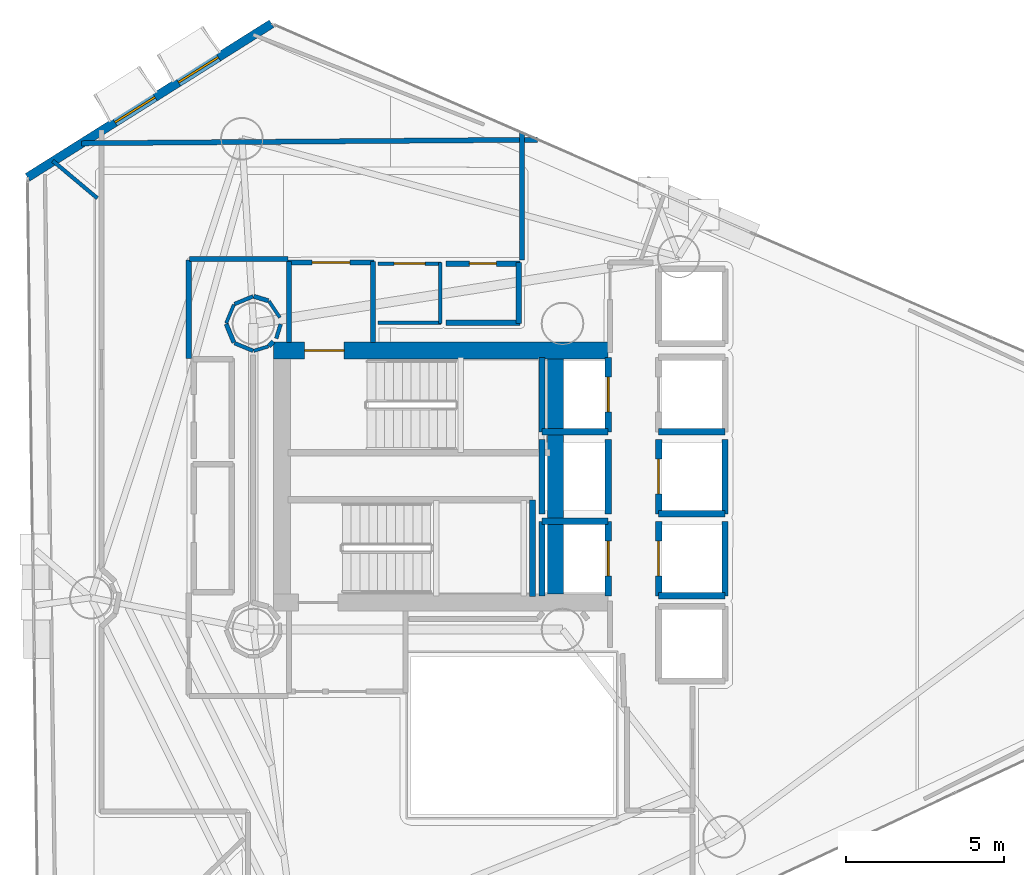
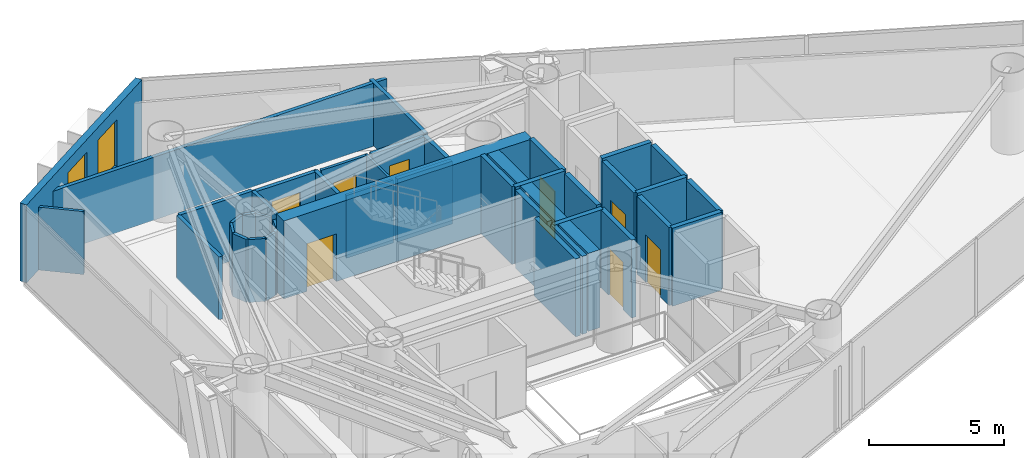
# One storey, part 17 of 20: 42 walls, 8 doors, 2 windows, 10 openings.
"""IFC4 building model written with IfcOpenShell, lengths in metres."""

from ifc_helpers import new_model, si_unit, direction, frame, frame_2d, origin, place, context, subcontext, project, spatial, rectangle, extrude, material, layer, layer_set, type_object, element, fill, save


model = new_model("IFC4")

# Units and contexts
model_context = context("Model", 3, precision=1e-05, world=origin(), true_north=direction((0.0, 1.0)))
body_context = subcontext(model_context, "Body", "Model", "MODEL_VIEW")
ifc_project = project(units=[si_unit("LENGTHUNIT", "METRE"), si_unit("AREAUNIT", "SQUARE_METRE"), si_unit("VOLUMEUNIT", "CUBIC_METRE"), si_unit("PLANEANGLEUNIT", "RADIAN"), si_unit("MASSUNIT", "GRAM", prefix="KILO")], contexts=[model_context])

# Site, building, storey
site_placement = place(None, origin())
site = spatial("IfcSite", under=ifc_project, at=site_placement, CompositionType="ELEMENT")
building_placement = place(site_placement, origin())
building = spatial("IfcBuilding", under=site, at=building_placement, Name="Qianvela Tower", CompositionType="ELEMENT")
storey_placement = place(building_placement, frame((0.0, 0.0, 151.300048828125)))
storey = spatial("IfcBuildingStorey", under=building, at=storey_placement, Name="L38", CompositionType="ELEMENT", Elevation=151.300048828125)

# Wall, openings, windows
ifc_material_1 = material(Name="Terracotta Cladding on Concrete C40", Category="masonry")
ifc_layer_1 = layer(ifc_material_1, 0.280029296875)
ifc_layer_set_1 = layer_set([ifc_layer_1], Name="Terracotta Cladding on Concrete C40")
wall_type_1 = type_object("IfcWallType", Name="TERRACOTTA-WALL-280", PredefinedType="SOLIDWALL", material=ifc_layer_set_1)
wall_1_placement = place(storey_placement, frame((29.17578125, 43.057373046875, 0.0), z_axis=(0.0, 0.0, 1.0), x_axis=(-0.84632871266, -0.532660971095, 0.0)))
wall_1 = element("IfcWall", 1, at=wall_1_placement, inside=storey, type_object=wall_type_1, Name="L38 Terracotta Chamfer Facet Wall 3", PredefinedType="SOLIDWALL", context=body_context, shape_type="SweptSolid", body=[
    extrude(rectangle(XDim=9.1416015625, YDim=0.280029296875, at=frame_2d((4.57080078125, 0.0))), origin(), (0.0, 0.0, 1.0), 3.52001953125),
])
opening_1_placement = place(wall_1_placement, frame((1.992431640625, 0.0, 0.85009765625)))
opening_1 = element("IfcOpeningElement", 2, at=opening_1_placement, cuts=wall_1, Name="Opening W-02", PredefinedType="OPENING", context=body_context, shape_type="SweptSolid", body=[
    extrude(rectangle(XDim=1.5, YDim=2.10009765625, at=frame_2d((0.75, 1.050048828125))), frame((0.0, 0.14990234375, 0.0), z_axis=(0.0, -1.0, 0.0), x_axis=(1.0, 0.0, 0.0)), (0.0, 0.0, 1.0), 0.300048828125),
])
opening_2_placement = place(wall_1_placement, frame((4.369140625, 0.0, 0.85009765625)))
opening_2 = element("IfcOpeningElement", 3, at=opening_2_placement, cuts=wall_1, Name="Opening W-02", PredefinedType="OPENING", context=body_context, shape_type="SweptSolid", body=[
    extrude(rectangle(XDim=1.5, YDim=2.10009765625, at=frame_2d((0.75, 1.050048828125))), frame((0.0, 0.14990234375, 0.0), z_axis=(0.0, -1.0, 0.0), x_axis=(1.0, 0.0, 0.0)), (0.0, 0.0, 1.0), 0.300048828125),
])
ifc_material_2 = material(Name="Thermally Broken Aluminium and Low-E Glass", Category="aluminium")
window_type = type_object("IfcWindowType", Name="WIN-TC-1500x2100", PartitioningType="DOUBLE_PANEL_VERTICAL", PredefinedType="WINDOW", material=ifc_material_2)
window_1_placement = place(opening_1_placement, origin())
window_1 = element("IfcWindow", 4, at=window_1_placement, inside=storey, type_object=window_type, Name="L38 Chamfer Facet Window 3.1", OverallHeight=2.10009765625, OverallWidth=1.5, PartitioningType="SINGLE_PANEL", PredefinedType="WINDOW", context=body_context, shape_type="SweptSolid", body=[
    extrude(rectangle(XDim=1.5, YDim=2.10009765625, at=frame_2d((0.75, 1.050048828125))), frame((0.0, 0.030029296875, 0.0), z_axis=(0.0, -1.0, 0.0), x_axis=(1.0, 0.0, 0.0)), (0.0, 0.0, 1.0), 0.06005859375),
])
fill(opening_1, window_1)
window_2_placement = place(opening_2_placement, origin())
window_2 = element("IfcWindow", 5, at=window_2_placement, inside=storey, type_object=window_type, Name="L38 Chamfer Facet Window 3.2", OverallHeight=2.10009765625, OverallWidth=1.5, PartitioningType="SINGLE_PANEL", PredefinedType="WINDOW", context=body_context, shape_type="SweptSolid", body=[
    extrude(rectangle(XDim=1.5, YDim=2.10009765625, at=frame_2d((0.75, 1.050048828125))), frame((0.0, 0.030029296875, 0.0), z_axis=(0.0, -1.0, 0.0), x_axis=(1.0, 0.0, 0.0)), (0.0, 0.0, 1.0), 0.06005859375),
])
fill(opening_2, window_2)

# Wall, opening, door
ifc_material_3 = material(Name="Concrete C60", Category="concrete")
ifc_layer_2 = layer(ifc_material_3, 0.550048828125)
ifc_layer_set_2 = layer_set([ifc_layer_2], Name="Concrete C60")
wall_type_2 = type_object("IfcWallType", Name="WT-CORE-550", PredefinedType="SHEAR", material=ifc_layer_set_2)
wall_2_placement = place(storey_placement, frame((29.22998046875, 32.695068359375, 0.0), z_axis=(0.0, 0.0, 1.0), x_axis=(1.0, 0.0, 0.0)))
wall_2 = element("IfcWall", 6, at=wall_2_placement, inside=storey, type_object=wall_type_2, Name="L38 North Core Shear Wall", PredefinedType="SHEAR", context=body_context, shape_type="SweptSolid", body=[
    extrude(rectangle(XDim=10.6201171875, YDim=0.550048828125, at=frame_2d((5.31005859375, 0.0))), origin(), (0.0, 0.0, 1.0), 3.52001953125),
])
opening_3_placement = place(wall_2_placement, frame((0.9951171875, 0.0, 0.0)))
opening_3 = element("IfcOpeningElement", 7, at=opening_3_placement, cuts=wall_2, Name="Opening D-ST1", PredefinedType="OPENING", context=body_context, shape_type="SweptSolid", body=[
    extrude(rectangle(XDim=1.25, YDim=2.14990234375, at=frame_2d((0.625, 1.074951171875))), frame((0.0, 0.284912109375, 0.0), z_axis=(0.0, -1.0, 0.0), x_axis=(1.0, 0.0, 0.0)), (0.0, 0.0, 1.0), 0.570068359375),
])
ifc_material_4 = material(Name="Galvanised Fire Steel Q355B", Category="steel")
door_type_1 = type_object("IfcDoorType", Name="DT-STAIR-FD90", OperationType="NOTDEFINED", PredefinedType="DOOR", material=ifc_material_4)
door_1_placement = place(opening_3_placement, origin())
door_1 = element("IfcDoor", 8, at=door_1_placement, inside=storey, type_object=door_type_1, Name="L38 Stair ST-1 Exit Door", OperationType="SINGLE_SWING_RIGHT", OverallHeight=2.14990234375, OverallWidth=1.25, PredefinedType="DOOR", context=body_context, shape_type="SweptSolid", body=[
    extrude(rectangle(XDim=1.25, YDim=2.14990234375, at=frame_2d((0.625, 1.074951171875))), frame((0.0, 0.02490234375, 0.0), z_axis=(0.0, -1.0, 0.0), x_axis=(1.0, 0.0, 0.0)), (0.0, 0.0, 1.0), 0.050048828125),
])
fill(opening_3, door_1)

# Walls
wall_3_placement = place(storey_placement, frame((38.179931640625, 24.97998046875, 0.0), z_axis=(0.0, 0.0, 1.0), x_axis=(0.0, 1.0, 0.0)))
element("IfcWall", 9, at=wall_3_placement, inside=storey, type_object=wall_type_2, Name="L38 East Spine Core Shear Wall", PredefinedType="SHEAR", context=body_context, shape_type="SweptSolid", body=[
    extrude(rectangle(XDim=7.43994140625, YDim=0.5, at=frame_2d((3.719970703125, 0.0))), origin(), (0.0, 0.0, 1.0), 3.52001953125),
])
ifc_material_5 = material(Name="Fire-Rated Gypsum and Concrete Block", Category="concrete")
ifc_layer_3 = layer(ifc_material_5, 0.159912109375)
ifc_layer_set_3 = layer_set([ifc_layer_3], Name="Fire-Rated Gypsum and Concrete Block")
wall_type_3 = type_object("IfcWallType", Name="WT-CORR-160", PredefinedType="PARTITIONING", material=ifc_layer_set_3)
wall_4_placement = place(storey_placement, frame((29.73095703125, 32.9580078125, 0.0), z_axis=(0.0, 0.0, 1.0), x_axis=(0.0, 1.0, 0.0)))
element("IfcWall", 10, at=wall_4_placement, inside=storey, type_object=wall_type_3, Name="L38 Partition 2", PredefinedType="PARTITIONING", context=body_context, shape_type="SweptSolid", body=[
    extrude(rectangle(XDim=2.56201171875, YDim=0.159912109375, at=frame_2d((1.281005859375, 0.0))), origin(), (0.0, 0.0, 1.0), 2.83984375),
])

# Wall, opening, door
wall_5_placement = place(storey_placement, frame((29.699951171875, 35.489013671875, 0.0), z_axis=(0.0, 0.0, 1.0), x_axis=(1.0, 0.0, 0.0)))
wall_5 = element("IfcWall", 11, at=wall_5_placement, inside=storey, type_object=wall_type_3, Name="L38 Partition 3", PredefinedType="PARTITIONING", context=body_context, shape_type="SweptSolid", body=[
    extrude(rectangle(XDim=2.719970703125, YDim=0.159912109375, at=frame_2d((1.35986328125, 0.0))), origin(), (0.0, 0.0, 1.0), 2.83984375),
])
opening_4_placement = place(wall_5_placement, frame((0.760009765625, 0.0, 0.0)))
opening_4 = element("IfcOpeningElement", 12, at=opening_4_placement, cuts=wall_5, Name="Opening D-LB1", PredefinedType="OPENING", context=body_context, shape_type="SweptSolid", body=[
    extrude(rectangle(XDim=1.199951171875, YDim=2.14990234375, at=frame_2d((0.60009765625, 1.074951171875))), frame((0.0, 0.08984375, 0.0), z_axis=(0.0, -1.0, 0.0), x_axis=(1.0, 0.0, 0.0)), (0.0, 0.0, 1.0), 0.179931640625),
])
ifc_material_6 = material(Name="Glazed Fire-Rated Steel Frame", Category="steel")
door_type_2 = type_object("IfcDoorType", Name="DT-LOBBY-FD90", OperationType="NOTDEFINED", PredefinedType="DOOR", material=ifc_material_6)
door_2_placement = place(opening_4_placement, origin())
door_2 = element("IfcDoor", 13, at=door_2_placement, inside=storey, type_object=door_type_2, Name="L38 Door L38 Firefighting Lobby North to L38 Floor Corridor", OperationType="SINGLE_SWING_RIGHT", OverallHeight=2.14990234375, OverallWidth=1.199951171875, PredefinedType="DOOR", context=body_context, shape_type="SweptSolid", body=[
    extrude(rectangle(XDim=1.199951171875, YDim=2.14990234375, at=frame_2d((0.60009765625, 1.074951171875))), frame((0.0, 0.02490234375, 0.0), z_axis=(0.0, -1.0, 0.0), x_axis=(1.0, 0.0, 0.0)), (0.0, 0.0, 1.0), 0.050048828125),
])
fill(opening_4, door_2)

# Walls
wall_6_placement = place(storey_placement, frame((32.388916015625, 35.52001953125, 0.0), z_axis=(0.0, 0.0, 1.0), x_axis=(0.0, -1.0, 0.0)))
element("IfcWall", 14, at=wall_6_placement, inside=storey, type_object=wall_type_3, Name="L38 Partition 4", PredefinedType="PARTITIONING", context=body_context, shape_type="SweptSolid", body=[
    extrude(rectangle(XDim=2.56201171875, YDim=0.159912109375, at=frame_2d((1.281005859375, 0.0))), origin(), (0.0, 0.0, 1.0), 2.83984375),
])
wall_7_placement = place(storey_placement, frame((23.1533203125, 39.266845703125, 0.0), z_axis=(0.0, 0.0, 1.0), x_axis=(0.999969574434, 0.007800654184, 0.0)))
element("IfcWall", 15, at=wall_7_placement, inside=storey, type_object=wall_type_3, Name="L38 Partition 54", PredefinedType="PARTITIONING", context=body_context, shape_type="SweptSolid", body=[
    extrude(rectangle(XDim=14.45947265625, YDim=0.159912109375, at=frame_2d((7.229736328125, 0.0))), origin(), (0.0, 0.0, 1.0), 2.83984375),
])
wall_8_placement = place(storey_placement, frame((37.118896484375, 39.61474609375, 0.0), z_axis=(0.0, 0.0, 1.0), x_axis=(0.0, -1.0, 0.0)))
element("IfcWall", 16, at=wall_8_placement, inside=storey, type_object=wall_type_3, Name="L38 Partition 55 seg 1", PredefinedType="PARTITIONING", context=body_context, shape_type="SweptSolid", body=[
    extrude(rectangle(XDim=4.0546875, YDim=0.159912109375, at=frame_2d((2.02734375, 0.0))), origin(), (0.0, 0.0, 1.0), 2.83984375),
])
wall_9_placement = place(storey_placement, frame((29.699951171875, 35.591064453125, 0.0), z_axis=(0.0, 0.0, 1.0), x_axis=(-1.0, 0.0, 0.0)))
element("IfcWall", 17, at=wall_9_placement, inside=storey, type_object=wall_type_3, Name="L38 Partition 56 seg 4", PredefinedType="PARTITIONING", context=body_context, shape_type="SweptSolid", body=[
    extrude(rectangle(XDim=3.119873046875, YDim=0.159912109375, at=frame_2d((1.56005859375, 0.0))), origin(), (0.0, 0.0, 1.0), 2.83984375),
])
wall_10_placement = place(storey_placement, frame((26.549072265625, 35.56005859375, 0.0), z_axis=(0.0, 0.0, 1.0), x_axis=(0.0, -1.0, 0.0)))
element("IfcWall", 18, at=wall_10_placement, inside=storey, type_object=wall_type_3, Name="L38 Partition 57 seg 1", PredefinedType="PARTITIONING", context=body_context, shape_type="SweptSolid", body=[
    extrude(rectangle(XDim=3.110107421875, YDim=0.159912109375, at=frame_2d((1.55517578125, 0.0))), origin(), (0.0, 0.0, 1.0), 2.83984375),
])
ifc_material_7 = material(Name="Lightweight Gypsum Room Partition")
ifc_layer_4 = layer(ifc_material_7, 0.10498046875)
ifc_layer_set_4 = layer_set([ifc_layer_4], Name="Lightweight Gypsum Room Partition")
wall_type_4 = type_object("IfcWallType", Name="WT-PART-105", PredefinedType="PARTITIONING", material=ifc_layer_set_4)
wall_11_placement = place(storey_placement, frame((34.550048828125, 33.5810546875, 0.0), z_axis=(0.0, 0.0, 1.0), x_axis=(-1.0, 0.0, 0.0)))
element("IfcWall", 19, at=wall_11_placement, inside=storey, type_object=wall_type_4, Name="L38 Partition 20", PredefinedType="PARTITIONING", context=body_context, shape_type="SweptSolid", body=[
    extrude(rectangle(XDim=2.0, YDim=0.10498046875, at=frame_2d((1.0, 0.0))), origin(), (0.0, 0.0, 1.0), 2.83984375),
])
wall_12_placement = place(storey_placement, frame((34.51904296875, 35.47998046875, 0.0), z_axis=(0.0, 0.0, 1.0), x_axis=(0.0, -1.0, 0.0)))
element("IfcWall", 20, at=wall_12_placement, inside=storey, type_object=wall_type_4, Name="L38 Partition 23", PredefinedType="PARTITIONING", context=body_context, shape_type="SweptSolid", body=[
    extrude(rectangle(XDim=1.929931640625, YDim=0.10498046875, at=frame_2d((0.96484375, 0.0))), origin(), (0.0, 0.0, 1.0), 2.83984375),
])
wall_13_placement = place(storey_placement, frame((29.44140625, 33.74072265625, 0.0), z_axis=(0.0, 0.0, 1.0), x_axis=(-0.559619584068, 0.828749613048, 0.0)))
element("IfcWall", 21, at=wall_13_placement, inside=storey, type_object=wall_type_4, Name="L38 Partition 119", PredefinedType="PARTITIONING", context=body_context, shape_type="SweptSolid", body=[
    extrude(rectangle(XDim=0.628662109375, YDim=0.10498046875, at=frame_2d((0.314453125, 0.0))), origin(), (0.0, 0.0, 1.0), 2.83984375),
])
wall_14_placement = place(storey_placement, frame((27.98095703125, 34.15234375, 0.0), z_axis=(0.0, 0.0, 1.0), x_axis=(-0.382824178437, -0.923821221018, 0.0)))
element("IfcWall", 22, at=wall_14_placement, inside=storey, type_object=wall_type_4, Name="L38 Partition 122", PredefinedType="PARTITIONING", context=body_context, shape_type="SweptSolid", body=[
    extrude(rectangle(XDim=0.638916015625, YDim=0.10498046875, at=frame_2d((0.3193359375, 0.0))), origin(), (0.0, 0.0, 1.0), 2.83984375),
])
wall_15_placement = place(storey_placement, frame((28.60888671875, 32.685302734375, 0.0), z_axis=(0.0, 0.0, 1.0), x_axis=(0.956893067978, 0.290440452511, 0.0)))
element("IfcWall", 23, at=wall_15_placement, inside=storey, type_object=wall_type_4, Name="L38 Partition 125", PredefinedType="PARTITIONING", context=body_context, shape_type="SweptSolid", body=[
    extrude(rectangle(XDim=0.485107421875, YDim=0.10498046875, at=frame_2d((0.24267578125, 0.0))), origin(), (0.0, 0.0, 1.0), 2.83984375),
])

# Wall, opening, door
ifc_material_8 = material(Name="Insulated Gypsum Stud Partition")
ifc_layer_5 = layer(ifc_material_8, 0.1201171875)
ifc_layer_set_5 = layer_set([ifc_layer_5], Name="Insulated Gypsum Stud Partition")
wall_type_5 = type_object("IfcWallType", Name="WT-PART-120", PredefinedType="PARTITIONING", material=ifc_layer_set_5)
wall_16_placement = place(storey_placement, frame((32.550048828125, 35.448974609375, 0.0), z_axis=(0.0, 0.0, 1.0), x_axis=(1.0, 0.0, 0.0)))
wall_16 = element("IfcWall", 24, at=wall_16_placement, inside=storey, type_object=wall_type_5, Name="L38 Partition 22", PredefinedType="PARTITIONING", context=body_context, shape_type="SweptSolid", body=[
    extrude(rectangle(XDim=2.0, YDim=0.1201171875, at=frame_2d((1.0, 0.0))), origin(), (0.0, 0.0, 1.0), 2.83984375),
])
opening_5_placement = place(wall_16_placement, frame((0.510009765625, 0.0, 0.0)))
opening_5 = element("IfcOpeningElement", 25, at=opening_5_placement, cuts=wall_16, Name="Opening D-RM1", PredefinedType="OPENING", context=body_context, shape_type="SweptSolid", body=[
    extrude(rectangle(XDim=0.97998046875, YDim=2.10009765625, at=frame_2d((0.489990234375, 1.050048828125))), frame((0.0, 0.070068359375, 0.0), z_axis=(0.0, -1.0, 0.0), x_axis=(1.0, 0.0, 0.0)), (0.0, 0.0, 1.0), 0.14013671875),
])
ifc_material_9 = material(Name="Solid Core Acoustic Timber Fire Door", Category="wood")
door_type_3 = type_object("IfcDoorType", Name="DT-ROOM-FD60", OperationType="NOTDEFINED", PredefinedType="DOOR", material=ifc_material_9)
door_3_placement = place(opening_5_placement, origin())
door_3 = element("IfcDoor", 26, at=door_3_placement, inside=storey, type_object=door_type_3, Name="L38 Door L38 Cleaner Store to L38 Floor Corridor", OperationType="SINGLE_SWING_LEFT", OverallHeight=2.10009765625, OverallWidth=0.97998046875, PredefinedType="DOOR", context=body_context, shape_type="SweptSolid", body=[
    extrude(rectangle(XDim=0.97998046875, YDim=2.10009765625, at=frame_2d((0.489990234375, 1.050048828125))), frame((0.0, 0.02490234375, 0.0), z_axis=(0.0, -1.0, 0.0), x_axis=(1.0, 0.0, 0.0)), (0.0, 0.0, 1.0), 0.050048828125),
])
fill(opening_5, door_3)

# Walls
wall_17_placement = place(storey_placement, frame((22.236328125, 38.71240234375, 0.0), z_axis=(0.0, 0.0, 1.0), x_axis=(0.766059161628, -0.642770068443, 0.0)))
element("IfcWall", 27, at=wall_17_placement, inside=storey, type_object=wall_type_5, Name="L38 Partition 67", PredefinedType="PARTITIONING", context=body_context, shape_type="SweptSolid", body=[
    extrude(rectangle(XDim=1.845458984375, YDim=0.1201171875, at=frame_2d((0.9228515625, 0.0))), origin(), (0.0, 0.0, 1.0), 2.83984375),
])
for number, where, z_axis, x_axis, name in (
    (28, (28.588134765625, 34.41357421875, 0.0), (0.0, 0.0, 1.0), (-0.923956302996, -0.382498039412, 0.0), "L38 Partition 121"),
    (29, (27.997802734375, 32.930908203125, 0.0), (0.0, 0.0, 1.0), (0.923821221018, -0.382824178437, 0.0), "L38 Partition 124"),
):
    element("IfcWall", number, at=place(storey_placement, frame(where, z_axis=z_axis, x_axis=x_axis)), inside=storey, type_object=wall_type_5, Name=name, PredefinedType="PARTITIONING", context=body_context, shape_type="SweptSolid", body=[
        extrude(rectangle(XDim=0.638916015625, YDim=0.1201171875, at=frame_2d((0.3193359375, 0.0))), origin(), (0.0, 0.0, 1.0), 2.83984375),
    ])
wall_18_placement = place(storey_placement, frame((29.323974609375, 33.076904296875, 0.0), z_axis=(0.0, 0.0, 1.0), x_axis=(0.292866596221, 0.956153312402, 0.0)))
element("IfcWall", 30, at=wall_18_placement, inside=storey, type_object=wall_type_5, Name="L38 Partition 127", PredefinedType="PARTITIONING", context=body_context, shape_type="SweptSolid", body=[
    extrude(rectangle(XDim=0.478515625, YDim=0.1201171875, at=frame_2d((0.2392578125, 0.0))), origin(), (0.0, 0.0, 1.0), 2.83984375),
])
ifc_material_10 = material(Name="Moisture-Resistant Acoustic Plumbing Wall")
ifc_layer_6 = layer(ifc_material_10, 0.175048828125)
ifc_layer_set_6 = layer_set([ifc_layer_6], Name="Moisture-Resistant Acoustic Plumbing Wall")
wall_type_6 = type_object("IfcWallType", Name="WT-PLUMB-175", PredefinedType="PLUMBINGWALL", material=ifc_layer_set_6)
wall_19_placement = place(storey_placement, frame((37.050048828125, 33.5810546875, 0.0), z_axis=(0.0, 0.0, 1.0), x_axis=(-1.0, 0.0, 0.0)))
element("IfcWall", 31, at=wall_19_placement, inside=storey, type_object=wall_type_6, Name="L38 Partition 24", PredefinedType="PLUMBINGWALL", context=body_context, shape_type="SweptSolid", body=[
    extrude(rectangle(XDim=2.35009765625, YDim=0.175048828125, at=frame_2d((1.175048828125, 0.0))), origin(), (0.0, 0.0, 1.0), 2.83984375),
])

# Wall, opening, door
wall_20_placement = place(storey_placement, frame((34.699951171875, 35.448974609375, 0.0), z_axis=(0.0, 0.0, 1.0), x_axis=(1.0, 0.0, 0.0)))
wall_20 = element("IfcWall", 32, at=wall_20_placement, inside=storey, type_object=wall_type_6, Name="L38 Partition 26", PredefinedType="PLUMBINGWALL", context=body_context, shape_type="SweptSolid", body=[
    extrude(rectangle(XDim=2.35009765625, YDim=0.175048828125, at=frame_2d((1.175048828125, 0.0))), origin(), (0.0, 0.0, 1.0), 2.83984375),
])
opening_6_placement = place(wall_20_placement, frame((0.7451171875, 0.0, 0.0)))
opening_6 = element("IfcOpeningElement", 33, at=opening_6_placement, cuts=wall_20, Name="Opening D-WC1", PredefinedType="OPENING", context=body_context, shape_type="SweptSolid", body=[
    extrude(rectangle(XDim=0.860107421875, YDim=2.050048828125, at=frame_2d((0.43017578125, 1.02490234375))), frame((0.0, 0.097412109375, 0.0), z_axis=(0.0, -1.0, 0.0), x_axis=(1.0, 0.0, 0.0)), (0.0, 0.0, 1.0), 0.195068359375),
])
ifc_material_11 = material(Name="Moisture-Sealed Acoustic Timber Door", Category="wood")
door_type_4 = type_object("IfcDoorType", Name="DT-WC-860", OperationType="NOTDEFINED", PredefinedType="DOOR", material=ifc_material_11)
door_4_placement = place(opening_6_placement, origin())
door_4 = element("IfcDoor", 34, at=door_4_placement, inside=storey, type_object=door_type_4, Name="L38 Door L38 Accessible WC to L38 Floor Corridor", OperationType="SINGLE_SWING_RIGHT", OverallHeight=2.050048828125, OverallWidth=0.860107421875, PredefinedType="DOOR", context=body_context, shape_type="SweptSolid", body=[
    extrude(rectangle(XDim=0.860107421875, YDim=2.050048828125, at=frame_2d((0.43017578125, 1.02490234375))), frame((0.0, 0.02490234375, 0.0), z_axis=(0.0, -1.0, 0.0), x_axis=(1.0, 0.0, 0.0)), (0.0, 0.0, 1.0), 0.050048828125),
])
fill(opening_6, door_4)

# Walls
wall_21_placement = place(storey_placement, frame((37.01904296875, 35.47998046875, 0.0), z_axis=(0.0, 0.0, 1.0), x_axis=(0.0, -1.0, 0.0)))
element("IfcWall", 35, at=wall_21_placement, inside=storey, type_object=wall_type_6, Name="L38 Partition 27", PredefinedType="PLUMBINGWALL", context=body_context, shape_type="SweptSolid", body=[
    extrude(rectangle(XDim=1.929931640625, YDim=0.175048828125, at=frame_2d((0.96484375, 0.0))), origin(), (0.0, 0.0, 1.0), 2.83984375),
])
ifc_material_12 = material(Name="Acoustic Double Gypsum Stud Partition")
ifc_layer_7 = layer(ifc_material_12, 0.139892578125)
ifc_layer_set_7 = layer_set([ifc_layer_7], Name="Acoustic Double Gypsum Stud Partition")
wall_type_7 = type_object("IfcWallType", Name="WT-ROOM-140", PredefinedType="PARTITIONING", material=ifc_layer_set_7)
wall_22_placement = place(storey_placement, frame((29.072998046875, 34.27392578125, 0.0), z_axis=(0.0, 0.0, 1.0), x_axis=(-0.956893067978, 0.290440452511, 0.0)))
element("IfcWall", 36, at=wall_22_placement, inside=storey, type_object=wall_type_7, Name="L38 Partition 120", PredefinedType="PARTITIONING", context=body_context, shape_type="SweptSolid", body=[
    extrude(rectangle(XDim=0.485107421875, YDim=0.139892578125, at=frame_2d((0.24267578125, 0.0))), origin(), (0.0, 0.0, 1.0), 2.83984375),
])
wall_23_placement = place(storey_placement, frame((27.736328125, 33.5380859375, 0.0), z_axis=(0.0, 0.0, 1.0), x_axis=(0.382824178437, -0.923821221018, 0.0)))
element("IfcWall", 37, at=wall_23_placement, inside=storey, type_object=wall_type_7, Name="L38 Partition 123", PredefinedType="PARTITIONING", context=body_context, shape_type="SweptSolid", body=[
    extrude(rectangle(XDim=0.638916015625, YDim=0.139892578125, at=frame_2d((0.3193359375, 0.0))), origin(), (0.0, 0.0, 1.0), 2.83984375),
])
wall_24_placement = place(storey_placement, frame((29.085693359375, 32.833740234375, 0.0), z_axis=(0.0, 0.0, 1.0), x_axis=(0.707106781187, 0.707106781187, 0.0)))
element("IfcWall", 38, at=wall_24_placement, inside=storey, type_object=wall_type_7, Name="L38 Partition 126", PredefinedType="PARTITIONING", context=body_context, shape_type="SweptSolid", body=[
    extrude(rectangle(XDim=0.2041015625, YDim=0.139892578125, at=frame_2d((0.10205078125, 0.0))), origin(), (0.0, 0.0, 1.0), 2.83984375),
])
ifc_material_13 = material(Name="Concrete C50", Category="concrete")
ifc_layer_8 = layer(ifc_material_13, 0.199951171875)
ifc_layer_set_8 = layer_set([ifc_layer_8], Name="Concrete C50")
wall_type_8 = type_object("IfcWallType", Name="WT-SHAFT-200", PredefinedType="SOLIDWALL", material=ifc_layer_set_8)
wall_25_placement = place(storey_placement, frame((37.449951171875, 24.89990234375, 0.0), z_axis=(0.0, 0.0, 1.0), x_axis=(0.0, 1.0, 0.0)))
element("IfcWall", 39, at=wall_25_placement, inside=storey, type_object=wall_type_8, Name="L38 Stair ST-2 East Wall", PredefinedType="SOLIDWALL", context=body_context, shape_type="SweptSolid", body=[
    extrude(rectangle(XDim=3.06005859375, YDim=0.199951171875, at=frame_2d((1.530029296875, 0.0))), origin(), (0.0, 0.0, 1.0), 3.52001953125),
])

# Wall, opening, door
wall_26_placement = place(storey_placement, frame((39.85009765625, 30.1201171875, 0.0), z_axis=(0.0, 0.0, 1.0), x_axis=(0.0, 1.0, 0.0)))
wall_26 = element("IfcWall", 40, at=wall_26_placement, inside=storey, type_object=wall_type_8, Name="L38 Lift FL-1 E Shaft Wall", PredefinedType="SOLIDWALL", context=body_context, shape_type="SweptSolid", body=[
    extrude(rectangle(XDim=2.35986328125, YDim=0.199951171875, at=frame_2d((1.179931640625, 0.0))), origin(), (0.0, 0.0, 1.0), 3.52001953125),
])
opening_7_placement = place(wall_26_placement, frame((0.6298828125, 0.0, 0.0)))
opening_7 = element("IfcOpeningElement", 41, at=opening_7_placement, cuts=wall_26, Name="Opening LD-01", PredefinedType="OPENING", context=body_context, shape_type="SweptSolid", body=[
    extrude(rectangle(XDim=1.10009765625, YDim=2.14990234375, at=frame_2d((0.550048828125, 1.074951171875))), frame((0.0, 0.10986328125, 0.0), z_axis=(0.0, -1.0, 0.0), x_axis=(1.0, 0.0, 0.0)), (0.0, 0.0, 1.0), 0.219970703125),
])
ifc_material_14 = material(Name="Brushed Stainless Steel Lift Landing Door", Category="steel")
door_type_5 = type_object("IfcDoorType", Name="DT-LIFT-SLIDE-1100", OperationType="SLIDING_TO_LEFT", PredefinedType="DOOR", material=ifc_material_14)
door_5_placement = place(opening_7_placement, origin())
door_5 = element("IfcDoor", 42, at=door_5_placement, inside=storey, type_object=door_type_5, Name="L38 Lift FL-1 Sliding Landing Door", OperationType="SLIDING_TO_LEFT", OverallHeight=2.14990234375, OverallWidth=1.10009765625, PredefinedType="DOOR", context=body_context, shape_type="SweptSolid", body=[
    extrude(rectangle(XDim=1.10009765625, YDim=2.14990234375, at=frame_2d((0.550048828125, 1.074951171875))), frame((0.0, 0.02490234375, 0.0), z_axis=(0.0, -1.0, 0.0), x_axis=(1.0, 0.0, 0.0)), (0.0, 0.0, 1.0), 0.050048828125),
])
fill(opening_7, door_5)

# Walls
wall_27_placement = place(storey_placement, frame((37.75, 30.1201171875, 0.0), z_axis=(0.0, 0.0, 1.0), x_axis=(0.0, 1.0, 0.0)))
element("IfcWall", 43, at=wall_27_placement, inside=storey, type_object=wall_type_8, Name="L38 Lift FL-1 W Shaft Wall", PredefinedType="SOLIDWALL", context=body_context, shape_type="SweptSolid", body=[
    extrude(rectangle(XDim=2.35986328125, YDim=0.199951171875, at=frame_2d((1.179931640625, 0.0))), origin(), (0.0, 0.0, 1.0), 3.52001953125),
])
wall_28_placement = place(storey_placement, frame((37.75, 30.1201171875, 0.0), z_axis=(0.0, 0.0, 1.0), x_axis=(1.0, 0.0, 0.0)))
element("IfcWall", 44, at=wall_28_placement, inside=storey, type_object=wall_type_8, Name="L38 Lift FL-1 S Shaft Wall", PredefinedType="SOLIDWALL", context=body_context, shape_type="SweptSolid", body=[
    extrude(rectangle(XDim=2.10009765625, YDim=0.199951171875, at=frame_2d((1.050048828125, 0.0))), origin(), (0.0, 0.0, 1.0), 3.52001953125),
])

# Wall, opening, door
wall_29_placement = place(storey_placement, frame((39.85009765625, 24.919921875, 0.0), z_axis=(0.0, 0.0, 1.0), x_axis=(0.0, 1.0, 0.0)))
wall_29 = element("IfcWall", 45, at=wall_29_placement, inside=storey, type_object=wall_type_8, Name="L38 Lift FL-2 E Shaft Wall", PredefinedType="SOLIDWALL", context=body_context, shape_type="SweptSolid", body=[
    extrude(rectangle(XDim=2.360107421875, YDim=0.199951171875, at=frame_2d((1.18017578125, 0.0))), origin(), (0.0, 0.0, 1.0), 3.52001953125),
])
opening_8_placement = place(wall_29_placement, frame((0.6298828125, 0.0, 0.0)))
opening_8 = element("IfcOpeningElement", 46, at=opening_8_placement, cuts=wall_29, Name="Opening LD-01", PredefinedType="OPENING", context=body_context, shape_type="SweptSolid", body=[
    extrude(rectangle(XDim=1.10009765625, YDim=2.14990234375, at=frame_2d((0.550048828125, 1.074951171875))), frame((0.0, 0.10986328125, 0.0), z_axis=(0.0, -1.0, 0.0), x_axis=(1.0, 0.0, 0.0)), (0.0, 0.0, 1.0), 0.219970703125),
])
door_6_placement = place(opening_8_placement, origin())
door_6 = element("IfcDoor", 47, at=door_6_placement, inside=storey, type_object=door_type_5, Name="L38 Lift FL-2 Sliding Landing Door", OperationType="SLIDING_TO_LEFT", OverallHeight=2.14990234375, OverallWidth=1.10009765625, PredefinedType="DOOR", context=body_context, shape_type="SweptSolid", body=[
    extrude(rectangle(XDim=1.10009765625, YDim=2.14990234375, at=frame_2d((0.550048828125, 1.074951171875))), frame((0.0, 0.02490234375, 0.0), z_axis=(0.0, -1.0, 0.0), x_axis=(1.0, 0.0, 0.0)), (0.0, 0.0, 1.0), 0.050048828125),
])
fill(opening_8, door_6)

# Walls
wall_30_placement = place(storey_placement, frame((37.75, 24.919921875, 0.0), z_axis=(0.0, 0.0, 1.0), x_axis=(0.0, 1.0, 0.0)))
element("IfcWall", 48, at=wall_30_placement, inside=storey, type_object=wall_type_8, Name="L38 Lift FL-2 W Shaft Wall", PredefinedType="SOLIDWALL", context=body_context, shape_type="SweptSolid", body=[
    extrude(rectangle(XDim=2.360107421875, YDim=0.199951171875, at=frame_2d((1.18017578125, 0.0))), origin(), (0.0, 0.0, 1.0), 3.52001953125),
])
for number, where, z_axis, x_axis, name in (
    (49, (37.75, 27.280029296875, 0.0), (0.0, 0.0, 1.0), (1.0, 0.0, 0.0), "L38 Lift FL-2 N Shaft Wall"),
    (50, (41.449951171875, 30.1201171875, 0.0), (0.0, 0.0, 1.0), (1.0, 0.0, 0.0), "L38 Lift PL-M1 S Shaft Wall"),
):
    element("IfcWall", number, at=place(storey_placement, frame(where, z_axis=z_axis, x_axis=x_axis)), inside=storey, type_object=wall_type_8, Name=name, PredefinedType="SOLIDWALL", context=body_context, shape_type="SweptSolid", body=[
        extrude(rectangle(XDim=2.10009765625, YDim=0.199951171875, at=frame_2d((1.050048828125, 0.0))), origin(), (0.0, 0.0, 1.0), 3.52001953125),
    ])
wall_31_placement = place(storey_placement, frame((43.550048828125, 27.52001953125, 0.0), z_axis=(0.0, 0.0, 1.0), x_axis=(0.0, 1.0, 0.0)))
element("IfcWall", 51, at=wall_31_placement, inside=storey, type_object=wall_type_8, Name="L38 Lift PL-M2 E Shaft Wall", PredefinedType="SOLIDWALL", context=body_context, shape_type="SweptSolid", body=[
    extrude(rectangle(XDim=2.35986328125, YDim=0.199951171875, at=frame_2d((1.179931640625, 0.0))), origin(), (0.0, 0.0, 1.0), 3.52001953125),
])

# Wall, opening, door
wall_32_placement = place(storey_placement, frame((41.449951171875, 27.52001953125, 0.0), z_axis=(0.0, 0.0, 1.0), x_axis=(0.0, 1.0, 0.0)))
wall_32 = element("IfcWall", 52, at=wall_32_placement, inside=storey, type_object=wall_type_8, Name="L38 Lift PL-M2 W Shaft Wall", PredefinedType="SOLIDWALL", context=body_context, shape_type="SweptSolid", body=[
    extrude(rectangle(XDim=2.35986328125, YDim=0.199951171875, at=frame_2d((1.179931640625, 0.0))), origin(), (0.0, 0.0, 1.0), 3.52001953125),
])
opening_9_placement = place(wall_32_placement, frame((0.6298828125, 0.0, 0.0)))
opening_9 = element("IfcOpeningElement", 53, at=opening_9_placement, cuts=wall_32, Name="Opening LD-01", PredefinedType="OPENING", context=body_context, shape_type="SweptSolid", body=[
    extrude(rectangle(XDim=1.10009765625, YDim=2.14990234375, at=frame_2d((0.550048828125, 1.074951171875))), frame((0.0, 0.10986328125, 0.0), z_axis=(0.0, -1.0, 0.0), x_axis=(1.0, 0.0, 0.0)), (0.0, 0.0, 1.0), 0.219970703125),
])
door_7_placement = place(opening_9_placement, origin())
door_7 = element("IfcDoor", 54, at=door_7_placement, inside=storey, type_object=door_type_5, Name="L38 Lift PL-M2 Sliding Landing Door", OperationType="SLIDING_TO_LEFT", OverallHeight=2.14990234375, OverallWidth=1.10009765625, PredefinedType="DOOR", context=body_context, shape_type="SweptSolid", body=[
    extrude(rectangle(XDim=1.10009765625, YDim=2.14990234375, at=frame_2d((0.550048828125, 1.074951171875))), frame((0.0, 0.02490234375, 0.0), z_axis=(0.0, -1.0, 0.0), x_axis=(1.0, 0.0, 0.0)), (0.0, 0.0, 1.0), 0.050048828125),
])
fill(opening_9, door_7)

# Walls
wall_33_placement = place(storey_placement, frame((41.449951171875, 27.52001953125, 0.0), z_axis=(0.0, 0.0, 1.0), x_axis=(1.0, 0.0, 0.0)))
element("IfcWall", 55, at=wall_33_placement, inside=storey, type_object=wall_type_8, Name="L38 Lift PL-M2 S Shaft Wall", PredefinedType="SOLIDWALL", context=body_context, shape_type="SweptSolid", body=[
    extrude(rectangle(XDim=2.10009765625, YDim=0.199951171875, at=frame_2d((1.050048828125, 0.0))), origin(), (0.0, 0.0, 1.0), 3.52001953125),
])
wall_34_placement = place(storey_placement, frame((43.550048828125, 24.919921875, 0.0), z_axis=(0.0, 0.0, 1.0), x_axis=(0.0, 1.0, 0.0)))
element("IfcWall", 56, at=wall_34_placement, inside=storey, type_object=wall_type_8, Name="L38 Lift PL-M3 E Shaft Wall", PredefinedType="SOLIDWALL", context=body_context, shape_type="SweptSolid", body=[
    extrude(rectangle(XDim=2.360107421875, YDim=0.199951171875, at=frame_2d((1.18017578125, 0.0))), origin(), (0.0, 0.0, 1.0), 3.52001953125),
])

# Wall, opening, door
wall_35_placement = place(storey_placement, frame((41.449951171875, 24.919921875, 0.0), z_axis=(0.0, 0.0, 1.0), x_axis=(0.0, 1.0, 0.0)))
wall_35 = element("IfcWall", 57, at=wall_35_placement, inside=storey, type_object=wall_type_8, Name="L38 Lift PL-M3 W Shaft Wall", PredefinedType="SOLIDWALL", context=body_context, shape_type="SweptSolid", body=[
    extrude(rectangle(XDim=2.360107421875, YDim=0.199951171875, at=frame_2d((1.18017578125, 0.0))), origin(), (0.0, 0.0, 1.0), 3.52001953125),
])
opening_10_placement = place(wall_35_placement, frame((0.6298828125, 0.0, 0.0)))
opening_10 = element("IfcOpeningElement", 58, at=opening_10_placement, cuts=wall_35, Name="Opening LD-01", PredefinedType="OPENING", context=body_context, shape_type="SweptSolid", body=[
    extrude(rectangle(XDim=1.10009765625, YDim=2.14990234375, at=frame_2d((0.550048828125, 1.074951171875))), frame((0.0, 0.10986328125, 0.0), z_axis=(0.0, -1.0, 0.0), x_axis=(1.0, 0.0, 0.0)), (0.0, 0.0, 1.0), 0.219970703125),
])
door_8_placement = place(opening_10_placement, origin())
door_8 = element("IfcDoor", 59, at=door_8_placement, inside=storey, type_object=door_type_5, Name="L38 Lift PL-M3 Sliding Landing Door", OperationType="SLIDING_TO_LEFT", OverallHeight=2.14990234375, OverallWidth=1.10009765625, PredefinedType="DOOR", context=body_context, shape_type="SweptSolid", body=[
    extrude(rectangle(XDim=1.10009765625, YDim=2.14990234375, at=frame_2d((0.550048828125, 1.074951171875))), frame((0.0, 0.02490234375, 0.0), z_axis=(0.0, -1.0, 0.0), x_axis=(1.0, 0.0, 0.0)), (0.0, 0.0, 1.0), 0.050048828125),
])
fill(opening_10, door_8)

# Walls
wall_36_placement = place(storey_placement, frame((41.449951171875, 24.919921875, 0.0), z_axis=(0.0, 0.0, 1.0), x_axis=(1.0, 0.0, 0.0)))
element("IfcWall", 60, at=wall_36_placement, inside=storey, type_object=wall_type_8, Name="L38 Lift PL-M3 S Shaft Wall", PredefinedType="SOLIDWALL", context=body_context, shape_type="SweptSolid", body=[
    extrude(rectangle(XDim=2.10009765625, YDim=0.199951171875, at=frame_2d((1.050048828125, 0.0))), origin(), (0.0, 0.0, 1.0), 3.52001953125),
])
for number, where, z_axis, x_axis, name in (
    (61, (39.85009765625, 27.52001953125, 0.0), (0.0, 0.0, 1.0), (0.0, 1.0, 0.0), "L38 Lift PL-H1 E Shaft Wall"),
    (62, (37.75, 27.52001953125, 0.0), (0.0, 0.0, 1.0), (0.0, 1.0, 0.0), "L38 Lift PL-H1 W Shaft Wall"),
):
    element("IfcWall", number, at=place(storey_placement, frame(where, z_axis=z_axis, x_axis=x_axis)), inside=storey, type_object=wall_type_8, Name=name, PredefinedType="SOLIDWALL", context=body_context, shape_type="SweptSolid", body=[
        extrude(rectangle(XDim=2.35986328125, YDim=0.199951171875, at=frame_2d((1.179931640625, 0.0))), origin(), (0.0, 0.0, 1.0), 3.52001953125),
    ])

save(model, "model.ifc")
